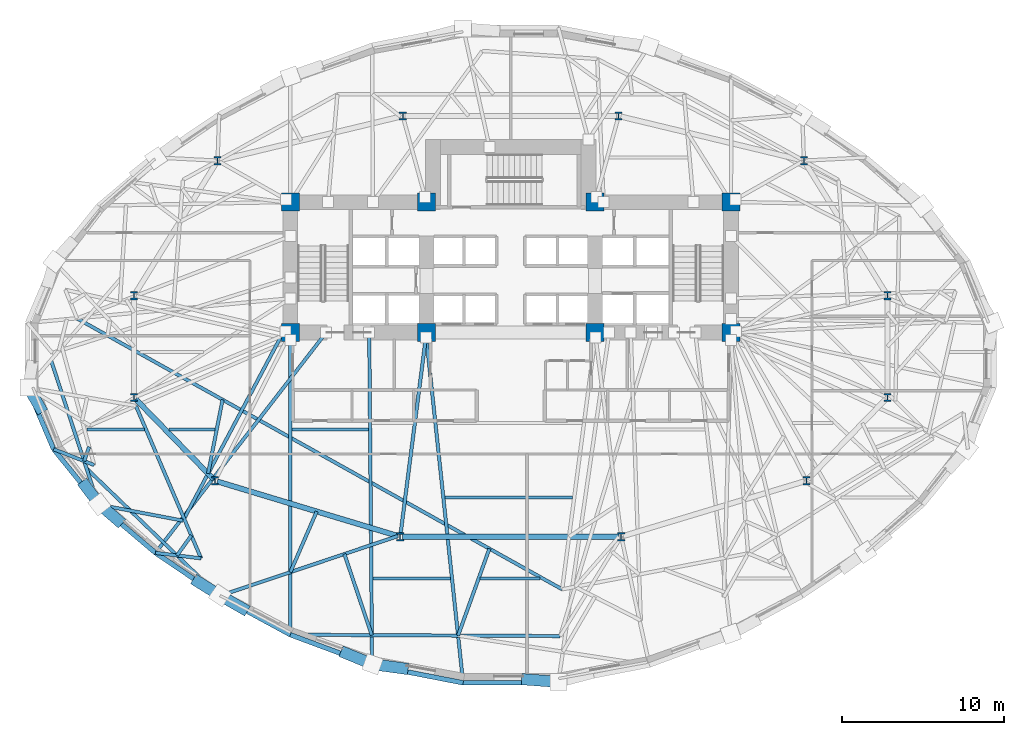
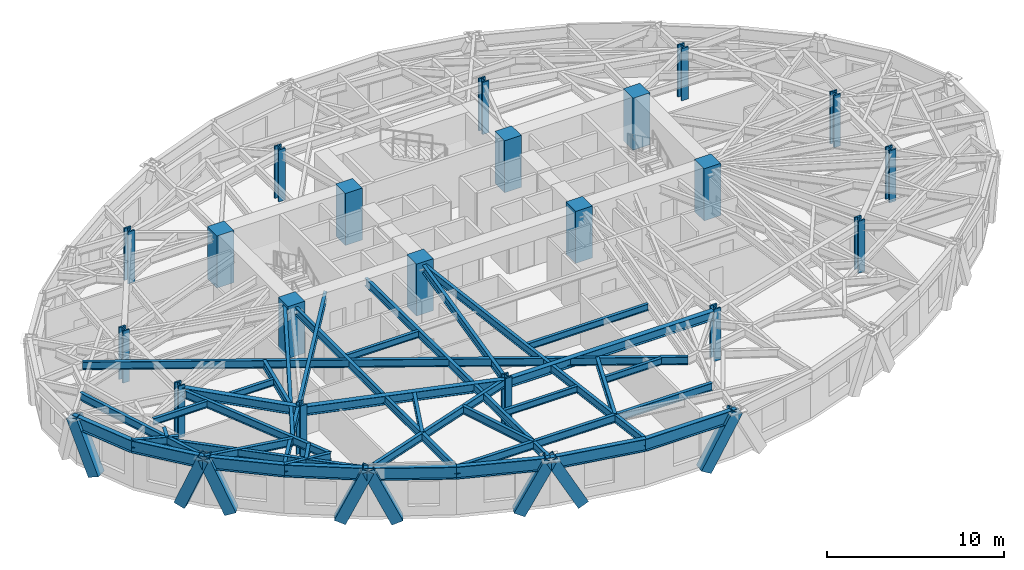
# One storey, part 1 of 14: 38 beams, 20 columns, 8 members.
"""IFC4 building model written with IfcOpenShell, lengths in metres."""

from ifc_helpers import new_model, si_unit, direction, frame, origin, origin_2d, place, context, subcontext, project, spatial, rectangle, hollow_rectangle, i_section, extrude, material, material_profile, profile_set, type_object, element, save


model = new_model("IFC4")

# Units and contexts
model_context = context("Model", 3, precision=1e-05, world=origin(), true_north=direction((0.0, 1.0)))
body_context = subcontext(model_context, "Body", "Model", "MODEL_VIEW")
ifc_project = project(units=[si_unit("LENGTHUNIT", "METRE"), si_unit("AREAUNIT", "SQUARE_METRE"), si_unit("VOLUMEUNIT", "CUBIC_METRE"), si_unit("PLANEANGLEUNIT", "RADIAN"), si_unit("MASSUNIT", "GRAM", prefix="KILO")], contexts=[model_context])

# Site, building, storey
site_placement = place(None, origin())
site = spatial("IfcSite", under=ifc_project, at=site_placement, CompositionType="ELEMENT")
building_placement = place(site_placement, origin())
building = spatial("IfcBuilding", under=site, at=building_placement, Name="Keldmark Tower", CompositionType="ELEMENT")
storey_placement = place(building_placement, frame((0.0, 0.0, 66.60009765625)))
storey = spatial("IfcBuildingStorey", under=building, at=storey_placement, Name="L17", CompositionType="ELEMENT", Elevation=66.60009765625)

# Columns
ifc_material_1 = material(Name="Concrete C70/85", Category="concrete")
ifc_material_profile_1 = material_profile(ifc_material_1, rectangle(XDim=1.10009765625, YDim=1.10009765625, at=origin_2d()), Name="RC1100X1100")
ifc_profile_set_1 = profile_set([ifc_material_profile_1], Name="Concrete C70/85")
column_type_1 = type_object("IfcColumnType", Name="Core Boundary Column RC1100", PredefinedType="COLUMN", material=ifc_profile_set_1)
for number, where, z_axis, x_axis, name in (
    (1, (-13.60009765625, 1.39990234375, 0.0), (0.0, 0.0, 1.0), (1.0, 0.0, 0.0), "L17 Core Boundary Column CC-W1"),
    (2, (-13.60009765625, 9.449951171875, 0.0), (0.0, 0.0, 1.0), (1.0, 0.0, 0.0), "L17 Core Boundary Column CC-W2"),
    (3, (-5.199951171875, 1.39990234375, 0.0), (0.0, 0.0, 1.0), (1.0, 0.0, 0.0), "L17 Core Boundary Column CC-W3"),
    (4, (-5.199951171875, 9.449951171875, 0.0), (0.0, 0.0, 1.0), (1.0, 0.0, 0.0), "L17 Core Boundary Column CC-W4"),
    (5, (5.199951171875, 1.39990234375, 0.0), (0.0, 0.0, 1.0), (1.0, 0.0, 0.0), "L17 Core Boundary Column CC-E1"),
    (6, (5.199951171875, 9.449951171875, 0.0), (0.0, 0.0, 1.0), (1.0, 0.0, 0.0), "L17 Core Boundary Column CC-E2"),
    (7, (13.60009765625, 1.39990234375, 0.0), (0.0, 0.0, 1.0), (1.0, 0.0, 0.0), "L17 Core Boundary Column CC-E3"),
    (8, (13.60009765625, 9.449951171875, 0.0), (0.0, 0.0, 1.0), (1.0, 0.0, 0.0), "L17 Core Boundary Column CC-E4"),
):
    element("IfcColumn", number, at=place(storey_placement, frame(where, z_axis=z_axis, x_axis=x_axis)), inside=storey, type_object=column_type_1, Name=name, PredefinedType="COLUMN", context=body_context, shape_type="SweptSolid", body=[
        extrude(rectangle(XDim=1.10009765625, YDim=1.10009765625, at=origin_2d()), origin(), (0.0, 0.0, 1.0), 3.599853515625),
    ])
ifc_material_2 = material(Name="Steel ASTM A992 Grade 50", Category="steel")
ifc_material_profile_2 = material_profile(ifc_material_2, i_section(OverallWidth=0.43701171875, OverallDepth=0.513916015625, WebThickness=0.060546875, FlangeThickness=0.096923828125, at=origin_2d()), Name="W14X550")
ifc_profile_set_2 = profile_set([ifc_material_profile_2], Name="Steel ASTM A992 Grade 50")
column_type_2 = type_object("IfcColumnType", Name="Tower Gravity Column W14X550", PredefinedType="COLUMN", material=ifc_profile_set_2)
for number, where, z_axis, x_axis, name in (
    (9, (23.25390625, 3.67724609375, 0.0), (0.0, 0.0, 1.0), (1.0, 0.0, 0.0), "L17 Tower Gravity Column TC-E1"),
    (10, (18.09765625, 12.00732421875, 0.0), (0.0, 0.0, 1.0), (1.0, 0.0, 0.0), "L17 Tower Gravity Column TC-E4"),
    (11, (6.6650390625, 14.760009765625, 0.0), (0.0, 0.0, 1.0), (1.0, 0.0, 0.0), "L17 Tower Gravity Column TC-N2"),
    (12, (-6.6650390625, 14.760009765625, 0.0), (0.0, 0.0, 1.0), (1.0, 0.0, 0.0), "L17 Tower Gravity Column TC-N1"),
    (13, (-18.09765625, 12.00732421875, 0.0), (0.0, 0.0, 1.0), (1.0, 0.0, 0.0), "L17 Tower Gravity Column TC-W4"),
    (14, (-23.25390625, 3.67724609375, 0.0), (0.0, 0.0, 1.0), (1.0, 0.0, 0.0), "L17 Tower Gravity Column TC-W1"),
    (15, (-23.25390625, -2.61328125, 0.0), (0.0, 0.0, 1.0), (1.0, 0.0, 0.0), "L17 Tower Gravity Column TC-W5"),
    (16, (-18.252685546875, -7.755615234375, 0.0), (0.0, 0.0, 1.0), (1.0, 0.0, 0.0), "L17 Tower Gravity Column TC-W2"),
    (17, (-6.822021484375, -11.205810546875, 0.0), (0.0, 0.0, 1.0), (1.0, 0.0, 0.0), "L17 Tower Gravity Column TC-W3"),
    (18, (6.822021484375, -11.205810546875, 0.0), (0.0, 0.0, 1.0), (1.0, 0.0, 0.0), "L17 Tower Gravity Column TC-E3"),
    (19, (18.252685546875, -7.755615234375, 0.0), (0.0, 0.0, 1.0), (1.0, 0.0, 0.0), "L17 Tower Gravity Column TC-E2"),
    (20, (23.25390625, -2.61328125, 0.0), (0.0, 0.0, 1.0), (1.0, 0.0, 0.0), "L17 Tower Gravity Column TC-E5"),
):
    element("IfcColumn", number, at=place(storey_placement, frame(where, z_axis=z_axis, x_axis=x_axis)), inside=storey, type_object=column_type_2, Name=name, PredefinedType="COLUMN", context=body_context, shape_type="SweptSolid", body=[
        extrude(i_section(OverallWidth=0.43701171875, OverallDepth=0.513916015625, WebThickness=0.060546875, FlangeThickness=0.096923828125, at=origin_2d()), origin(), (0.0, 0.0, 1.0), 3.599853515625),
    ])

# Beams
ifc_material_3 = material(Name="Steel ASTM A992 Grade 50", Category="steel")
ifc_material_profile_3 = material_profile(ifc_material_3, i_section(OverallWidth=0.19091796875, OverallDepth=0.45703125, WebThickness=0.009033203125, FlangeThickness=0.014404296875, at=origin_2d()), Name="W18X50")
ifc_profile_set_3 = profile_set([ifc_material_profile_3], Name="Steel ASTM A992 Grade 50")
beam_type_1 = type_object("IfcBeamType", Name="Composite Floor Joist W18X50", PredefinedType="JOIST", material=ifc_profile_set_3)
beam_1_placement = place(storey_placement, frame((-8.510009765625, -13.800048828125, 3.17138671875), z_axis=(1.0, 0.0, 0.0), x_axis=(0.0, 1.0, 0.0)))
element("IfcBeam", 21, at=beam_1_placement, inside=storey, type_object=beam_type_1, Name="L17 Composite Floor Joist J01", PredefinedType="JOIST", context=body_context, shape_type="SweptSolid", body=[
    extrude(i_section(OverallWidth=0.19091796875, OverallDepth=0.45703125, WebThickness=0.009033203125, FlangeThickness=0.014404296875, at=origin_2d()), origin(), (0.0, 0.0, 1.0), 4.788330078125),
])
beam_2_placement = place(storey_placement, frame((-1.883056640625, -13.800048828125, 3.17138671875), z_axis=(1.0, 0.0, 0.0), x_axis=(0.0, 1.0, 0.0)))
element("IfcBeam", 22, at=beam_2_placement, inside=storey, type_object=beam_type_1, Name="L17 Composite Floor Joist J02", PredefinedType="JOIST", context=body_context, shape_type="SweptSolid", body=[
    extrude(i_section(OverallWidth=0.19091796875, OverallDepth=0.45703125, WebThickness=0.009033203125, FlangeThickness=0.014404296875, at=origin_2d()), origin(), (0.0, 0.0, 1.0), 3.679931640625),
])
beam_3_placement = place(storey_placement, frame((-4.064697265625, -8.780029296875, 3.17138671875), z_axis=(1.0, 0.0, 0.0), x_axis=(0.0, 1.0, 0.0)))
element("IfcBeam", 23, at=beam_3_placement, inside=storey, type_object=beam_type_1, Name="L17 Composite Floor Joist J04", PredefinedType="JOIST", context=body_context, shape_type="SweptSolid", body=[
    extrude(i_section(OverallWidth=0.19091796875, OverallDepth=0.45703125, WebThickness=0.009033203125, FlangeThickness=0.014404296875, at=origin_2d()), origin(), (0.0, 0.0, 1.0), 7.88818359375),
])
beam_4_placement = place(storey_placement, frame((-26.1455078125, -4.60009765625, 3.17138671875), z_axis=(1.0, 0.0, 0.0), x_axis=(0.0, 1.0, 0.0)))
element("IfcBeam", 24, at=beam_4_placement, inside=storey, type_object=beam_type_1, Name="L17 Composite Floor Joist J06", PredefinedType="JOIST", context=body_context, shape_type="SweptSolid", body=[
    extrude(i_section(OverallWidth=0.19091796875, OverallDepth=0.45703125, WebThickness=0.009033203125, FlangeThickness=0.014404296875, at=origin_2d()), origin(), (0.0, 0.0, 1.0), 3.5302734375),
])
beam_5_placement = place(storey_placement, frame((-21.1064453125, -4.60009765625, 3.17138671875), z_axis=(1.0, 0.0, 0.0), x_axis=(0.0, 1.0, 0.0)))
element("IfcBeam", 25, at=beam_5_placement, inside=storey, type_object=beam_type_1, Name="L17 Composite Floor Joist J07", PredefinedType="JOIST", context=body_context, shape_type="SweptSolid", body=[
    extrude(i_section(OverallWidth=0.19091796875, OverallDepth=0.45703125, WebThickness=0.009033203125, FlangeThickness=0.014404296875, at=origin_2d()), origin(), (0.0, 0.0, 1.0), 2.85595703125),
])
beam_6_placement = place(storey_placement, frame((-13.505859375, -4.60009765625, 3.17138671875), z_axis=(1.0, 0.0, 0.0), x_axis=(0.0, 1.0, 0.0)))
element("IfcBeam", 26, at=beam_6_placement, inside=storey, type_object=beam_type_1, Name="L17 Composite Floor Joist J08", PredefinedType="JOIST", context=body_context, shape_type="SweptSolid", body=[
    extrude(i_section(OverallWidth=0.19091796875, OverallDepth=0.45703125, WebThickness=0.009033203125, FlangeThickness=0.014404296875, at=origin_2d()), origin(), (0.0, 0.0, 1.0), 4.725341796875),
])

# Members
ifc_material_4 = material(Name="Steel ASTM A572 Grade 50", Category="steel")
ifc_material_profile_4 = material_profile(ifc_material_4, hollow_rectangle(XDim=0.699951171875, YDim=0.699951171875, WallThickness=0.054931640625, at=origin_2d()), Name="BOX700X700X55")
ifc_profile_set_4 = profile_set([ifc_material_profile_4], Name="Steel ASTM A572 Grade 50")
member_type = type_object("IfcMemberType", Name="Diagrid Zone 1 Brace BOX700X700X55", PredefinedType="BRACE", material=ifc_profile_set_4)
member_1_placement = place(storey_placement, frame((-29.0537109375, -3.239501953125, -0.280029296875), z_axis=(-0.187953544679, 0.326027598968, 0.926487706208), x_axis=(-0.866345766631, -0.499444704287, 0.0)))
element("IfcMember", 27, at=member_1_placement, inside=storey, type_object=member_type, Name="L17 Perimeter Diagrid Brace 09A", PredefinedType="BRACE", context=body_context, shape_type="SweptSolid", body=[
    extrude(hollow_rectangle(XDim=0.699951171875, YDim=0.699951171875, WallThickness=0.054931640625, at=origin_2d()), origin(), (0.0, 0.0, 1.0), 3.84228515625),
])
member_2_placement = place(storey_placement, frame((-26.271728515625, -8.056884765625, -0.280029296875), z_axis=(0.22735584107, -0.299794538336, 0.926516355126), x_axis=(0.796786599817, 0.604260799946, 0.0)))
element("IfcMember", 28, at=member_2_placement, inside=storey, type_object=member_type, Name="L17 Perimeter Diagrid Brace 09B", PredefinedType="BRACE", context=body_context, shape_type="SweptSolid", body=[
    extrude(hollow_rectangle(XDim=0.699951171875, YDim=0.699951171875, WallThickness=0.054931640625, at=origin_2d()), origin(), (0.0, 0.0, 1.0), 3.842041015625),
])
member_3_placement = place(storey_placement, frame((-24.240478515625, -10.19873046875, -0.280029296875), z_axis=(-0.299808298026, 0.258238239896, 0.918383359981), x_axis=(-0.652624686666, -0.757681343544, 0.0)))
element("IfcMember", 29, at=member_3_placement, inside=storey, type_object=member_type, Name="L17 Perimeter Diagrid Brace 10A", PredefinedType="BRACE", context=body_context, shape_type="SweptSolid", body=[
    extrude(hollow_rectangle(XDim=0.699951171875, YDim=0.699951171875, WallThickness=0.054931640625, at=origin_2d()), origin(), (0.0, 0.0, 1.0), 3.876220703125),
])
member_4_placement = place(storey_placement, frame((-19.31640625, -13.982421875, -0.280029296875), z_axis=(0.348922415099, -0.218029628066, 0.911436355171), x_axis=(0.529917000048, 0.848049510972, 0.0)))
element("IfcMember", 30, at=member_4_placement, inside=storey, type_object=member_type, Name="L17 Perimeter Diagrid Brace 10B", PredefinedType="BRACE", context=body_context, shape_type="SweptSolid", body=[
    extrude(hollow_rectangle(XDim=0.699951171875, YDim=0.699951171875, WallThickness=0.054931640625, at=origin_2d()), origin(), (0.0, 0.0, 1.0), 3.90576171875),
])
member_5_placement = place(storey_placement, frame((-16.527587890625, -15.6455078125, -0.280029296875), z_axis=(-0.365480191023, 0.20889914578, 0.907075177073), x_axis=(-0.49623442189, -0.86818857314, 0.0)))
element("IfcMember", 31, at=member_5_placement, inside=storey, type_object=member_type, Name="L17 Perimeter Diagrid Brace 11A", PredefinedType="BRACE", context=body_context, shape_type="SweptSolid", body=[
    extrude(hollow_rectangle(XDim=0.699951171875, YDim=0.699951171875, WallThickness=0.054931640625, at=origin_2d()), origin(), (0.0, 0.0, 1.0), 3.924560546875),
])
member_6_placement = place(storey_placement, frame((-10.1875, -18.399658203125, -0.280029296875), z_axis=(0.415453523006, -0.17130335501, 0.893338418957), x_axis=(0.38119547489, 0.924494461813, 0.0)))
element("IfcMember", 32, at=member_6_placement, inside=storey, type_object=member_type, Name="L17 Perimeter Diagrid Brace 11B", PredefinedType="BRACE", context=body_context, shape_type="SweptSolid", body=[
    extrude(hollow_rectangle(XDim=0.699951171875, YDim=0.699951171875, WallThickness=0.054931640625, at=origin_2d()), origin(), (0.0, 0.0, 1.0), 3.98486328125),
])
member_7_placement = place(storey_placement, frame((-6.637451171875, -19.339111328125, -0.280029296875), z_axis=(-0.470943156759, 0.06456235461, 0.879797843524), x_axis=(-0.135821229572, -0.990733361504, 0.0)))
element("IfcMember", 33, at=member_7_placement, inside=storey, type_object=member_type, Name="L17 Perimeter Diagrid Brace 12A", PredefinedType="BRACE", context=body_context, shape_type="SweptSolid", body=[
    extrude(hollow_rectangle(XDim=0.699951171875, YDim=0.699951171875, WallThickness=0.054931640625, at=origin_2d()), origin(), (0.0, 0.0, 1.0), 4.046142578125),
])
member_8_placement = place(storey_placement, frame((0.978515625, -20.02490234375, -0.280029296875), z_axis=(0.4831474815, -0.035937581202, 0.874801121043), x_axis=(0.074177299949, 0.997245069264, 0.0)))
element("IfcMember", 34, at=member_8_placement, inside=storey, type_object=member_type, Name="L17 Perimeter Diagrid Brace 12B", PredefinedType="BRACE", context=body_context, shape_type="SweptSolid", body=[
    extrude(hollow_rectangle(XDim=0.699951171875, YDim=0.699951171875, WallThickness=0.054931640625, at=origin_2d()), origin(), (0.0, 0.0, 1.0), 4.0693359375),
])

# Beams
ifc_material_5 = material(Name="Steel ASTM A992 Grade 50", Category="steel")
ifc_material_profile_5 = material_profile(ifc_material_5, i_section(OverallWidth=0.323974609375, OverallDepth=0.611083984375, WebThickness=0.0126953125, FlangeThickness=0.01904296875, at=origin_2d()), Name="W24X104")
ifc_profile_set_5 = profile_set([ifc_material_profile_5], Name="Steel ASTM A992 Grade 50")
beam_type_2 = type_object("IfcBeamType", Name="Primary Floor Girder W24X104", PredefinedType="BEAM", material=ifc_profile_set_5)
beam_7_placement = place(storey_placement, frame((-23.156494140625, -2.713623046875, 3.094482421875), z_axis=(0.697210382268, -0.716866572563, 0.0), x_axis=(0.716866572563, 0.697210382268, 0.0)))
element("IfcBeam", 35, at=beam_7_placement, inside=storey, type_object=beam_type_2, Name="L17 Floor Ring Girder FG-R07", PredefinedType="BEAM", context=body_context, shape_type="SweptSolid", body=[
    extrude(i_section(OverallWidth=0.323974609375, OverallDepth=0.611083984375, WebThickness=0.0126953125, FlangeThickness=0.01904296875, at=origin_2d()), origin(), (0.0, 0.0, 1.0), 6.893310546875),
])
beam_8_placement = place(storey_placement, frame((-18.118896484375, -7.796142578125, 3.094482421875), z_axis=(0.957346071406, -0.2889437654, 0.0), x_axis=(0.2889437654, 0.957346071406, 0.0)))
element("IfcBeam", 36, at=beam_8_placement, inside=storey, type_object=beam_type_2, Name="L17 Floor Ring Girder FG-R08", PredefinedType="BEAM", context=body_context, shape_type="SweptSolid", body=[
    extrude(i_section(OverallWidth=0.323974609375, OverallDepth=0.611083984375, WebThickness=0.0126953125, FlangeThickness=0.01904296875, at=origin_2d()), origin(), (0.0, 0.0, 1.0), 11.66015625),
])
beam_9_placement = place(storey_placement, frame((-6.68212890625, -11.205810546875, 3.094482421875), z_axis=(1.0, 0.0, 0.0), x_axis=(0.0, 1.0, 0.0)))
element("IfcBeam", 37, at=beam_9_placement, inside=storey, type_object=beam_type_2, Name="L17 Floor Ring Girder FG-R09", PredefinedType="BEAM", context=body_context, shape_type="SweptSolid", body=[
    extrude(i_section(OverallWidth=0.323974609375, OverallDepth=0.611083984375, WebThickness=0.0126953125, FlangeThickness=0.01904296875, at=origin_2d()), origin(), (0.0, 0.0, 1.0), 13.3642578125),
])
ifc_material_6 = material(Name="Steel ASTM A992 Grade 50", Category="steel")
ifc_material_profile_6 = material_profile(ifc_material_6, i_section(OverallWidth=0.2099609375, OverallDepth=0.537109375, WebThickness=0.010986328125, FlangeThickness=0.017333984375, at=origin_2d()), Name="W21X68")
ifc_profile_set_6 = profile_set([ifc_material_profile_6], Name="Steel ASTM A992 Grade 50")
beam_type_3 = type_object("IfcBeamType", Name="Radial Tie Girder W21X68", PredefinedType="BEAM", material=ifc_profile_set_6)
beam_10_placement = place(storey_placement, frame((-26.77490234375, 2.264892578125, 3.13134765625), z_axis=(0.873134013473, -0.487480250385, 0.0), x_axis=(0.487480250385, 0.873134013473, 0.0)))
element("IfcBeam", 38, at=beam_10_placement, inside=storey, type_object=beam_type_3, Name="L17 Perimeter Collector Ring Beam CRG2-M07", PredefinedType="BEAM", context=body_context, shape_type="SweptSolid", body=[
    extrude(i_section(OverallWidth=0.2099609375, OverallDepth=0.537109375, WebThickness=0.010986328125, FlangeThickness=0.017333984375, at=origin_2d()), origin(), (0.0, 0.0, 1.0), 34.30029296875),
])
beam_11_placement = place(storey_placement, frame((-28.219970703125, -5.8046875, 3.13134765625), z_axis=(0.931039108803, -0.364919412857, 0.0), x_axis=(0.364919412857, 0.931039108803, 0.0)))
element("IfcBeam", 39, at=beam_11_placement, inside=storey, type_object=beam_type_3, Name="L17 Local Collector Chord RT-19C", PredefinedType="BEAM", context=body_context, shape_type="SweptSolid", body=[
    extrude(i_section(OverallWidth=0.2099609375, OverallDepth=0.537109375, WebThickness=0.010986328125, FlangeThickness=0.017333984375, at=origin_2d()), origin(), (0.0, 0.0, 1.0), 2.690185546875),
])
beam_12_placement = place(storey_placement, frame((-26.0244140625, -5.655517578125, 3.13134765625), z_axis=(-0.330905272325, -0.943663976608, 0.0), x_axis=(0.943663976608, -0.330905272325, 0.0)))
element("IfcBeam", 40, at=beam_12_placement, inside=storey, type_object=beam_type_3, Name="L17 Framing Pin Header PH-031", PredefinedType="BEAM", context=body_context, shape_type="SweptSolid", body=[
    extrude(i_section(OverallWidth=0.2099609375, OverallDepth=0.537109375, WebThickness=0.010986328125, FlangeThickness=0.017333984375, at=origin_2d()), origin(), (0.0, 0.0, 1.0), 0.940673828125),
])
beam_13_placement = place(storey_placement, frame((-28.384033203125, -0.299560546875, 3.13134765625), z_axis=(0.311717995994, -0.950174663403, 0.0), x_axis=(0.950174663403, 0.311717995994, 0.0)))
element("IfcBeam", 41, at=beam_13_placement, inside=storey, type_object=beam_type_3, Name="L17 Perimeter Radial Tie Girder RT-19", PredefinedType="BEAM", context=body_context, shape_type="SweptSolid", body=[
    extrude(i_section(OverallWidth=0.2099609375, OverallDepth=0.537109375, WebThickness=0.010986328125, FlangeThickness=0.017333984375, at=origin_2d()), origin(), (0.0, 0.0, 1.0), 9.39453125),
])
beam_14_placement = place(storey_placement, frame((-17.790283203125, -2.75146484375, 3.13134765625), z_axis=(-0.192326177514, -0.981331055986, 0.0), x_axis=(0.981331055986, -0.192326177514, 0.0)))
element("IfcBeam", 42, at=beam_14_placement, inside=storey, type_object=beam_type_3, Name="L17 Framing Pin Header PH-032", PredefinedType="BEAM", context=body_context, shape_type="SweptSolid", body=[
    extrude(i_section(OverallWidth=0.2099609375, OverallDepth=0.537109375, WebThickness=0.010986328125, FlangeThickness=0.017333984375, at=origin_2d()), origin(), (0.0, 0.0, 1.0), 4.647216796875),
])
beam_15_placement = place(storey_placement, frame((-14.050048828125, 1.39990234375, 3.13134765625), z_axis=(-0.46963758627, -0.882859296583, 0.0), x_axis=(0.882859296583, -0.46963758627, 0.0)))
element("IfcBeam", 43, at=beam_15_placement, inside=storey, type_object=beam_type_3, Name="L17 Intermediate Radial Step Girder RT-20M", PredefinedType="BEAM", context=body_context, shape_type="SweptSolid", body=[
    extrude(i_section(OverallWidth=0.2099609375, OverallDepth=0.537109375, WebThickness=0.010986328125, FlangeThickness=0.017333984375, at=origin_2d()), origin(), (0.0, 0.0, 1.0), 13.159912109375),
])
beam_16_placement = place(storey_placement, frame((-25.45556640625, -9.22607421875, 3.13134765625), z_axis=(0.98243606645, -0.186599505192, 0.0), x_axis=(0.186599505192, 0.98243606645, 0.0)))
element("IfcBeam", 44, at=beam_16_placement, inside=storey, type_object=beam_type_3, Name="L17 Local Collector Chord RT-20C", PredefinedType="BEAM", context=body_context, shape_type="SweptSolid", body=[
    extrude(i_section(OverallWidth=0.2099609375, OverallDepth=0.537109375, WebThickness=0.010986328125, FlangeThickness=0.017333984375, at=origin_2d()), origin(), (0.0, 0.0, 1.0), 5.318603515625),
])
beam_17_placement = place(storey_placement, frame((-11.392822265625, 1.39990234375, 3.13134765625), z_axis=(-0.612426086585, -0.790527854329, 0.0), x_axis=(0.790527854329, -0.612426086585, 0.0)))
element("IfcBeam", 45, at=beam_17_placement, inside=storey, type_object=beam_type_3, Name="L17 Perimeter Radial Tie Girder RT-20", PredefinedType="BEAM", context=body_context, shape_type="SweptSolid", body=[
    extrude(i_section(OverallWidth=0.2099609375, OverallDepth=0.537109375, WebThickness=0.010986328125, FlangeThickness=0.017333984375, at=origin_2d()), origin(), (0.0, 0.0, 1.0), 17.210205078125),
])
beam_18_placement = place(storey_placement, frame((-23.1376953125, -3.132080078125, 3.13134765625), z_axis=(0.392963472412, -0.919554081797, 0.0), x_axis=(0.919554081797, 0.392963472412, 0.0)))
element("IfcBeam", 46, at=beam_18_placement, inside=storey, type_object=beam_type_3, Name="L17 Intermediate Radial Step Girder RT-21M", PredefinedType="BEAM", context=body_context, shape_type="SweptSolid", body=[
    extrude(i_section(OverallWidth=0.2099609375, OverallDepth=0.537109375, WebThickness=0.010986328125, FlangeThickness=0.017333984375, at=origin_2d()), origin(), (0.0, 0.0, 1.0), 10.23681640625),
])
beam_19_placement = place(storey_placement, frame((-21.932861328125, -12.205322265625, 3.13134765625), z_axis=(0.99279561301, -0.119820160191, 0.0), x_axis=(0.119820160191, 0.99279561301, 0.0)))
element("IfcBeam", 47, at=beam_19_placement, inside=storey, type_object=beam_type_3, Name="L17 Local Collector Chord RT-21C", PredefinedType="BEAM", context=body_context, shape_type="SweptSolid", body=[
    extrude(i_section(OverallWidth=0.2099609375, OverallDepth=0.537109375, WebThickness=0.010986328125, FlangeThickness=0.017333984375, at=origin_2d()), origin(), (0.0, 0.0, 1.0), 2.83837890625),
])
beam_20_placement = place(storey_placement, frame((-19.718505859375, -11.13330078125, 3.13134765625), z_axis=(-0.584109823151, -0.81167463586, 0.0), x_axis=(0.81167463586, -0.584109823151, 0.0)))
element("IfcBeam", 48, at=beam_20_placement, inside=storey, type_object=beam_type_3, Name="L17 Framing Pin Header PH-033", PredefinedType="BEAM", context=body_context, shape_type="SweptSolid", body=[
    extrude(i_section(OverallWidth=0.2099609375, OverallDepth=0.537109375, WebThickness=0.010986328125, FlangeThickness=0.017333984375, at=origin_2d()), origin(), (0.0, 0.0, 1.0), 1.51806640625),
])
beam_21_placement = place(storey_placement, frame((-26.187744140625, -6.994384765625, 3.13134765625), z_axis=(0.720608826003, -0.693341849225, 0.0), x_axis=(0.693341849225, 0.720608826003, 0.0)))
element("IfcBeam", 49, at=beam_21_placement, inside=storey, type_object=beam_type_3, Name="L17 Perimeter Radial Tie Girder RT-21", PredefinedType="BEAM", context=body_context, shape_type="SweptSolid", body=[
    extrude(i_section(OverallWidth=0.2099609375, OverallDepth=0.537109375, WebThickness=0.010986328125, FlangeThickness=0.017333984375, at=origin_2d()), origin(), (0.0, 0.0, 1.0), 11.3623046875),
])
beam_22_placement = place(storey_placement, frame((-18.0, -14.872314453125, 3.13134765625), z_axis=(0.948018970852, 0.318213813189, 0.0), x_axis=(-0.318213813189, 0.948018970852, 0.0)))
element("IfcBeam", 50, at=beam_22_placement, inside=storey, type_object=beam_type_3, Name="L17 Straddling Support Chord RT-22RB", PredefinedType="BEAM", context=body_context, shape_type="SweptSolid", body=[
    extrude(i_section(OverallWidth=0.2099609375, OverallDepth=0.537109375, WebThickness=0.010986328125, FlangeThickness=0.017333984375, at=origin_2d()), origin(), (0.0, 0.0, 1.0), 11.6494140625),
])
beam_23_placement = place(storey_placement, frame((-11.979248046875, -9.649169921875, 3.13134765625), z_axis=(-0.397932759003, -0.917414584205, 0.0), x_axis=(0.917414584205, -0.397932759003, 0.0)))
element("IfcBeam", 51, at=beam_23_placement, inside=storey, type_object=beam_type_3, Name="L17 Framing Pin Header PH-044", PredefinedType="BEAM", context=body_context, shape_type="SweptSolid", body=[
    extrude(i_section(OverallWidth=0.2099609375, OverallDepth=0.537109375, WebThickness=0.010986328125, FlangeThickness=0.017333984375, at=origin_2d()), origin(), (0.0, 0.0, 1.0), 4.08544921875),
])
beam_24_placement = place(storey_placement, frame((-13.60009765625, 0.949951171875, 3.13134765625), z_axis=(-0.00033516106, -0.999999943834, 0.0), x_axis=(0.999999943834, -0.00033516106, 0.0)))
element("IfcBeam", 52, at=beam_24_placement, inside=storey, type_object=beam_type_3, Name="L17 Perimeter Radial Tie Girder RT-22R", PredefinedType="BEAM", context=body_context, shape_type="SweptSolid", body=[
    extrude(i_section(OverallWidth=0.2099609375, OverallDepth=0.537109375, WebThickness=0.010986328125, FlangeThickness=0.017333984375, at=origin_2d()), origin(), (0.0, 0.0, 1.0), 18.210693359375),
])
beam_25_placement = place(storey_placement, frame((-13.606201171875, -17.2607421875, 3.13134765625), z_axis=(0.999987664159, -0.004967044472, 0.0), x_axis=(0.004967044472, 0.999987664159, 0.0)))
element("IfcBeam", 53, at=beam_25_placement, inside=storey, type_object=beam_type_3, Name="L17 Straddling Support Chord RT-23RB", PredefinedType="BEAM", context=body_context, shape_type="SweptSolid", body=[
    extrude(i_section(OverallWidth=0.2099609375, OverallDepth=0.537109375, WebThickness=0.010986328125, FlangeThickness=0.017333984375, at=origin_2d()), origin(), (0.0, 0.0, 1.0), 16.66259765625),
])
beam_26_placement = place(storey_placement, frame((-10.269287109375, -12.27734375, 3.13134765625), z_axis=(0.32025640075, -0.947330901944, 0.0), x_axis=(0.947330901944, 0.32025640075, 0.0)))
element("IfcBeam", 54, at=beam_26_placement, inside=storey, type_object=beam_type_3, Name="L17 Framing Pin Header PH-045", PredefinedType="BEAM", context=body_context, shape_type="SweptSolid", body=[
    extrude(i_section(OverallWidth=0.2099609375, OverallDepth=0.537109375, WebThickness=0.010986328125, FlangeThickness=0.017333984375, at=origin_2d()), origin(), (0.0, 0.0, 1.0), 5.286865234375),
])
beam_27_placement = place(storey_placement, frame((-8.735595703125, 1.39990234375, 3.13134765625), z_axis=(0.008535926408, -0.999963568317, 0.0), x_axis=(0.999963568317, 0.008535926408, 0.0)))
element("IfcBeam", 55, at=beam_27_placement, inside=storey, type_object=beam_type_3, Name="L17 Perimeter Radial Tie Girder RT-23R", PredefinedType="BEAM", context=body_context, shape_type="SweptSolid", body=[
    extrude(i_section(OverallWidth=0.2099609375, OverallDepth=0.537109375, WebThickness=0.010986328125, FlangeThickness=0.017333984375, at=origin_2d()), origin(), (0.0, 0.0, 1.0), 20.535888671875),
])
beam_28_placement = place(storey_placement, frame((-1.318603515625, -11.94775390625, 3.13134765625), z_axis=(-0.338798315616, -0.940859023093, 0.0), x_axis=(0.940859023093, -0.338798315616, 0.0)))
element("IfcBeam", 56, at=beam_28_placement, inside=storey, type_object=beam_type_3, Name="L17 Framing Pin Header PH-046", PredefinedType="BEAM", context=body_context, shape_type="SweptSolid", body=[
    extrude(i_section(OverallWidth=0.2099609375, OverallDepth=0.537109375, WebThickness=0.010986328125, FlangeThickness=0.017333984375, at=origin_2d()), origin(), (0.0, 0.0, 1.0), 5.701416015625),
])
beam_29_placement = place(storey_placement, frame((-5.199951171875, 0.949951171875, 3.13134765625), z_axis=(0.106155943233, -0.994349493748, 0.0), x_axis=(0.994349493748, 0.106155943233, 0.0)))
element("IfcBeam", 57, at=beam_29_placement, inside=storey, type_object=beam_type_3, Name="L17 Perimeter Radial Tie Girder RT-24R", PredefinedType="BEAM", context=body_context, shape_type="SweptSolid", body=[
    extrude(i_section(OverallWidth=0.2099609375, OverallDepth=0.537109375, WebThickness=0.010986328125, FlangeThickness=0.017333984375, at=origin_2d()), origin(), (0.0, 0.0, 1.0), 21.301025390625),
])
ifc_material_7 = material(Name="Steel ASTM A992 Grade 50", Category="steel")
ifc_material_profile_7 = material_profile(ifc_material_7, i_section(OverallWidth=0.214111328125, OverallDepth=0.549072265625, WebThickness=0.0146484375, FlangeThickness=0.023681640625, at=origin_2d()), Name="W21X93")
ifc_profile_set_7 = profile_set([ifc_material_profile_7], Name="Steel ASTM A992 Grade 50")
beam_type_4 = type_object("IfcBeamType", Name="Radial Tie Girder W21X93", PredefinedType="BEAM", material=ifc_profile_set_7)
beam_30_placement = place(storey_placement, frame((-6.80419921875, -11.06689453125, 3.12548828125), z_axis=(0.127634898593, 0.99182122011, 0.0), x_axis=(-0.99182122011, 0.127634898593, 0.0)))
element("IfcBeam", 58, at=beam_30_placement, inside=storey, type_object=beam_type_4, Name="L17 Floor Radial Girder FG-C09", PredefinedType="BEAM", context=body_context, shape_type="SweptSolid", body=[
    extrude(i_section(OverallWidth=0.214111328125, OverallDepth=0.549072265625, WebThickness=0.0146484375, FlangeThickness=0.023681640625, at=origin_2d()), origin(), (0.0, 0.0, 1.0), 12.24951171875),
])
ifc_material_8 = material(Name="Steel ASTM A992 Grade 50", Category="steel")
ifc_material_profile_8 = material_profile(ifc_material_8, i_section(OverallWidth=0.2919921875, OverallDepth=0.85888671875, WebThickness=0.01708984375, FlangeThickness=0.031005859375, at=origin_2d()), Name="W33X169")
ifc_profile_set_8 = profile_set([ifc_material_profile_8], Name="Steel ASTM A992 Grade 50")
beam_type_5 = type_object("IfcBeamType", Name="Spandrel Ring Beam W33X169", PredefinedType="SPANDREL", material=ifc_profile_set_8)
beam_31_placement = place(storey_placement, frame((-29.835693359375, -1.99267578125, 2.970458984375), z_axis=(0.39024393086, -0.92071150445, 0.0), x_axis=(0.92071150445, 0.39024393086, 0.0)))
element("IfcBeam", 59, at=beam_31_placement, inside=storey, type_object=beam_type_5, Name="L17 Perimeter Spandrel Ring Beam SRB-17", PredefinedType="SPANDREL", context=body_context, shape_type="SweptSolid", body=[
    extrude(i_section(OverallWidth=0.2919921875, OverallDepth=0.85888671875, WebThickness=0.01708984375, FlangeThickness=0.031005859375, at=origin_2d()), origin(), (0.0, 0.0, 1.0), 4.140380859375),
])
beam_32_placement = place(storey_placement, frame((-28.219970703125, -5.8046875, 2.970458984375), z_axis=(0.628471460058, -0.77783264517, 0.0), x_axis=(0.77783264517, 0.628471460058, 0.0)))
element("IfcBeam", 60, at=beam_32_placement, inside=storey, type_object=beam_type_5, Name="L17 Perimeter Spandrel Ring Beam SRB-18", PredefinedType="SPANDREL", context=body_context, shape_type="SweptSolid", body=[
    extrude(i_section(OverallWidth=0.2919921875, OverallDepth=0.85888671875, WebThickness=0.01708984375, FlangeThickness=0.031005859375, at=origin_2d()), origin(), (0.0, 0.0, 1.0), 4.398681640625),
])
beam_33_placement = place(storey_placement, frame((-25.45556640625, -9.22607421875, 2.970458984375), z_axis=(0.763546839071, -0.645752448346, 0.0), x_axis=(0.645752448346, 0.763546839071, 0.0)))
element("IfcBeam", 61, at=beam_33_placement, inside=storey, type_object=beam_type_5, Name="L17 Perimeter Spandrel Ring Beam SRB-19", PredefinedType="SPANDREL", context=body_context, shape_type="SweptSolid", body=[
    extrude(i_section(OverallWidth=0.2919921875, OverallDepth=0.85888671875, WebThickness=0.01708984375, FlangeThickness=0.031005859375, at=origin_2d()), origin(), (0.0, 0.0, 1.0), 4.613525390625),
])
beam_34_placement = place(storey_placement, frame((-21.932861328125, -12.205322265625, 2.970458984375), z_axis=(0.827645395623, -0.561251368911, 0.0), x_axis=(0.561251368911, 0.827645395623, 0.0)))
element("IfcBeam", 62, at=beam_34_placement, inside=storey, type_object=beam_type_5, Name="L17 Perimeter Spandrel Ring Beam SRB-20", PredefinedType="SPANDREL", context=body_context, shape_type="SweptSolid", body=[
    extrude(i_section(OverallWidth=0.2919921875, OverallDepth=0.85888671875, WebThickness=0.01708984375, FlangeThickness=0.031005859375, at=origin_2d()), origin(), (0.0, 0.0, 1.0), 4.751953125),
])
beam_35_placement = place(storey_placement, frame((-18.0, -14.872314453125, 2.970458984375), z_axis=(0.878583097087, -0.477589511519, 0.0), x_axis=(0.477589511519, 0.878583097087, 0.0)))
element("IfcBeam", 63, at=beam_35_placement, inside=storey, type_object=beam_type_5, Name="L17 Perimeter Spandrel Ring Beam SRB-21", PredefinedType="SPANDREL", context=body_context, shape_type="SweptSolid", body=[
    extrude(i_section(OverallWidth=0.2919921875, OverallDepth=0.85888671875, WebThickness=0.01708984375, FlangeThickness=0.031005859375, at=origin_2d()), origin(), (0.0, 0.0, 1.0), 5.0009765625),
])
beam_36_placement = place(storey_placement, frame((-13.606201171875, -17.2607421875, 2.970458984375), z_axis=(0.937405813917, -0.348238912292, 0.0), x_axis=(0.348238912292, 0.937405813917, 0.0)))
element("IfcBeam", 64, at=beam_36_placement, inside=storey, type_object=beam_type_5, Name="L17 Perimeter Spandrel Ring Beam SRB-22", PredefinedType="SPANDREL", context=body_context, shape_type="SweptSolid", body=[
    extrude(i_section(OverallWidth=0.2919921875, OverallDepth=0.85888671875, WebThickness=0.01708984375, FlangeThickness=0.031005859375, at=origin_2d()), origin(), (0.0, 0.0, 1.0), 5.3828125),
])
beam_37_placement = place(storey_placement, frame((-8.560302734375, -19.13525390625, 2.970458984375), z_axis=(0.981537660085, -0.191268977712, 0.0), x_axis=(0.191268977712, 0.981537660085, 0.0)))
element("IfcBeam", 65, at=beam_37_placement, inside=storey, type_object=beam_type_5, Name="L17 Perimeter Spandrel Ring Beam SRB-23", PredefinedType="SPANDREL", context=body_context, shape_type="SweptSolid", body=[
    extrude(i_section(OverallWidth=0.2919921875, OverallDepth=0.85888671875, WebThickness=0.01708984375, FlangeThickness=0.031005859375, at=origin_2d()), origin(), (0.0, 0.0, 1.0), 5.727294921875),
])
beam_38_placement = place(storey_placement, frame((-2.938720703125, -20.230712890625, 2.970458984375), z_axis=(1.0, 0.0, 0.0), x_axis=(0.0, 1.0, 0.0)))
element("IfcBeam", 66, at=beam_38_placement, inside=storey, type_object=beam_type_5, Name="L17 Perimeter Spandrel Ring Beam SRB-24", PredefinedType="SPANDREL", context=body_context, shape_type="SweptSolid", body=[
    extrude(i_section(OverallWidth=0.2919921875, OverallDepth=0.85888671875, WebThickness=0.01708984375, FlangeThickness=0.031005859375, at=origin_2d()), origin(), (0.0, 0.0, 1.0), 5.87744140625),
])

save(model, "model.ifc")
